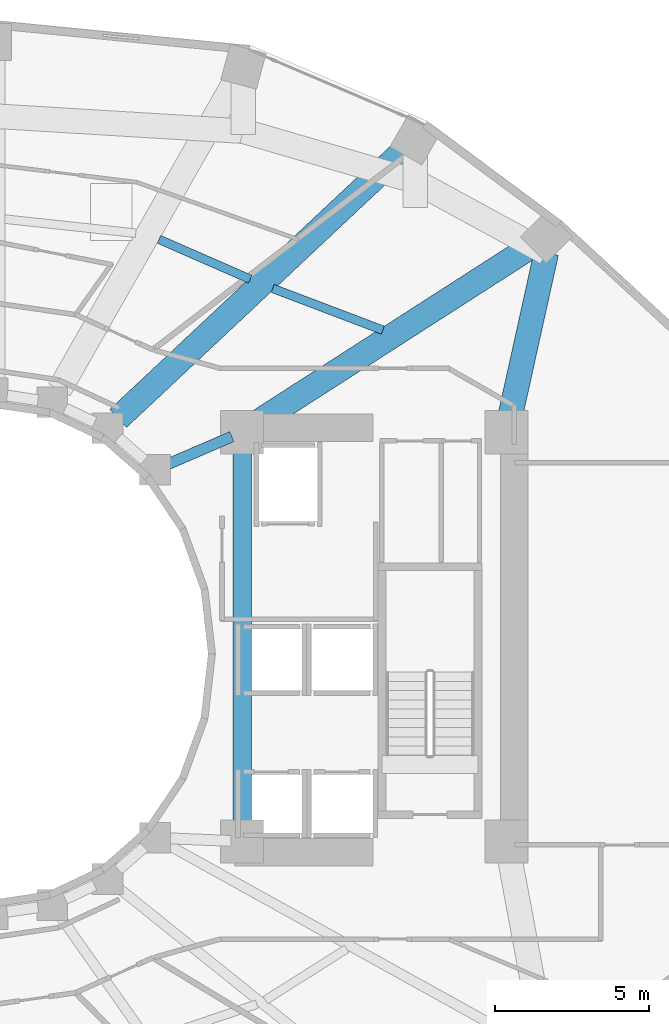
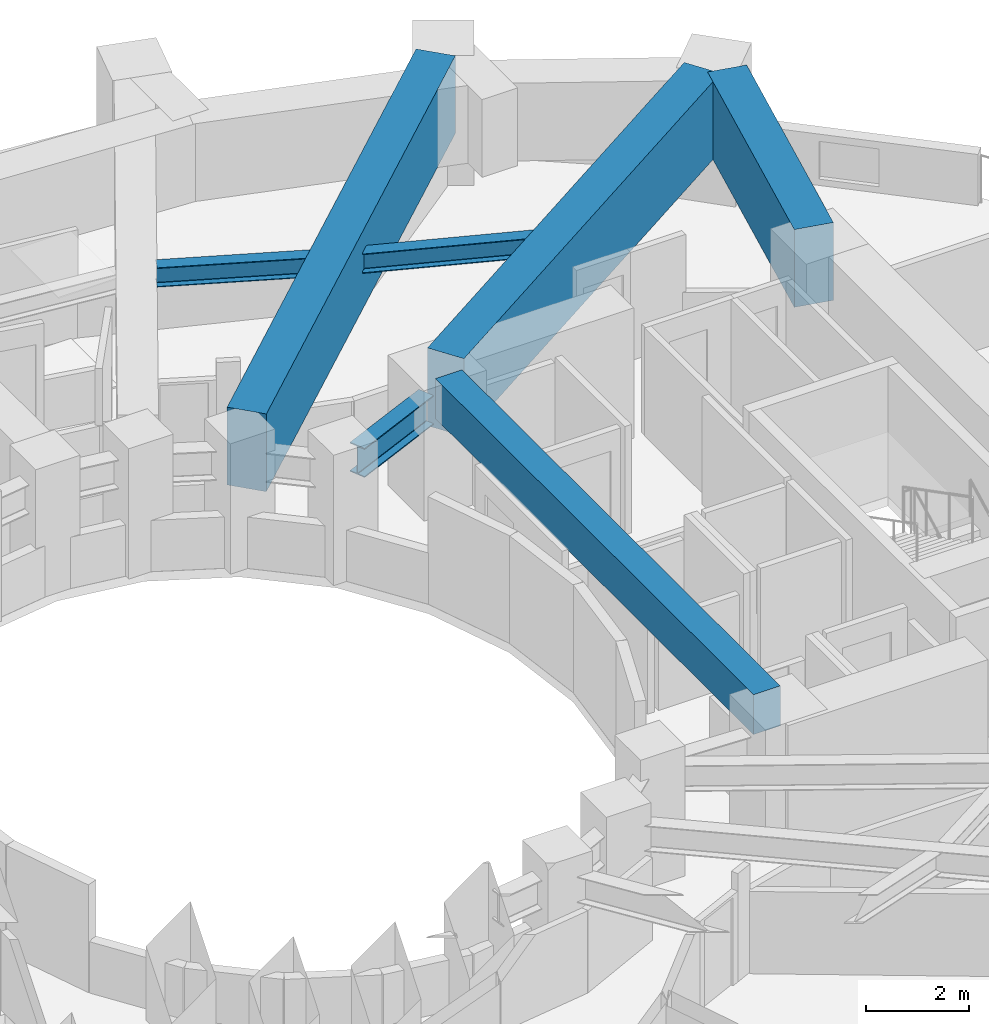
# One storey, part 8 of 22: 7 beams.
"""IFC4 building model written with IfcOpenShell, lengths in metres."""

from ifc_helpers import new_model, si_unit, direction, frame, origin, origin_2d, place, context, subcontext, project, spatial, rectangle, i_section, extrude, material, material_profile, profile_set, type_object, element, save


model = new_model("IFC4")

# Units and contexts
model_context = context("Model", 3, precision=1e-05, world=origin(), true_north=direction((0.0, 1.0)))
body_context = subcontext(model_context, "Body", "Model", "MODEL_VIEW")
ifc_project = project(units=[si_unit("LENGTHUNIT", "METRE"), si_unit("AREAUNIT", "SQUARE_METRE"), si_unit("VOLUMEUNIT", "CUBIC_METRE"), si_unit("PLANEANGLEUNIT", "RADIAN"), si_unit("MASSUNIT", "GRAM", prefix="KILO")], contexts=[model_context])

# Site, building, storey
site_placement = place(None, origin())
site = spatial("IfcSite", under=ifc_project, at=site_placement, CompositionType="ELEMENT")
building_placement = place(site_placement, origin())
building = spatial("IfcBuilding", under=site, at=building_placement, Name="Solvane Sanctuary Tower", CompositionType="ELEMENT")
storey_placement = place(building_placement, frame((0.0, 0.0, 43.10009765625)))
storey = spatial("IfcBuildingStorey", under=building, at=storey_placement, Name="L12", CompositionType="ELEMENT", Elevation=43.10009765625)

# Beams
ifc_material_1 = material(Name="Concrete C70/85", Category="concrete")
ifc_material_profile_1 = material_profile(ifc_material_1, rectangle(XDim=0.60009765625, YDim=0.949951171875, at=origin_2d()), Name="RC600X950")
ifc_profile_set_1 = profile_set([ifc_material_profile_1], Name="Concrete C70/85")
beam_type_1 = type_object("IfcBeamType", Name="Beam B-COUPLE RC600X950", PredefinedType="LINTEL", material=ifc_profile_set_1)
beam_1_placement = place(storey_placement, frame((40.10009765625, 17.35009765625, 2.625), z_axis=(0.0, 1.0, 0.0), x_axis=(-1.0, 0.0, 0.0)))
element("IfcBeam", 1, at=beam_1_placement, inside=storey, type_object=beam_type_1, Name="L12 East Core Coupling Lintel", PredefinedType="LINTEL", context=body_context, shape_type="SweptSolid", body=[
    extrude(rectangle(XDim=0.60009765625, YDim=0.949951171875, at=origin_2d()), origin(), (0.0, 0.0, 1.0), 12.39990234375),
])
ifc_material_2 = material(Name="Steel ASTM A992 Grade 50", Category="steel")
ifc_material_profile_2 = material_profile(ifc_material_2, i_section(OverallWidth=0.35498046875, OverallDepth=0.695068359375, WebThickness=0.015380859375, FlangeThickness=0.02490234375, FilletRadius=0.01806640625, at=origin_2d()), Name="W27X146")
ifc_profile_set_2 = profile_set([ifc_material_profile_2], Name="Steel ASTM A992 Grade 50")
beam_type_2 = type_object("IfcBeamType", Name="Beam B-RING-IN1 W27X146", PredefinedType="BEAM", material=ifc_profile_set_2)
beam_2_placement = place(storey_placement, frame((37.70654296875, 29.168212890625, 2.25048828125), z_axis=(0.918277080365, 0.395938383687, 0.0), x_axis=(-0.395938383687, 0.918277080365, 0.0)))
element("IfcBeam", 2, at=beam_2_placement, inside=storey, type_object=beam_type_2, Name="L12 Inner Light-Well Ring Beam IC01-CE4", PredefinedType="BEAM", context=body_context, shape_type="SweptSolid", body=[
    extrude(i_section(OverallWidth=0.35498046875, OverallDepth=0.695068359375, WebThickness=0.015380859375, FlangeThickness=0.02490234375, FilletRadius=0.01806640625, at=origin_2d()), origin(), (0.0, 0.0, 1.0), 2.246337890625),
])
ifc_material_profile_3 = material_profile(ifc_material_2, i_section(OverallWidth=0.280029296875, OverallDepth=0.462890625, WebThickness=0.0107421875, FlangeThickness=0.017333984375, FilletRadius=0.013916015625, at=origin_2d()), Name="W18X76")
ifc_profile_set_3 = profile_set([ifc_material_profile_3], Name="Steel ASTM A992 Grade 50")
beam_type_3 = type_object("IfcBeamType", Name="Beam B-SEC-JOIST W18X76", PredefinedType="JOIST", material=ifc_profile_set_3)
beam_3_placement = place(storey_placement, frame((37.39990234375, 36.469482421875, 2.366455078125), z_axis=(0.916364894528, -0.400344077111, 0.0), x_axis=(0.400344077111, 0.916364894528, 0.0)))
element("IfcBeam", 3, at=beam_3_placement, inside=storey, type_object=beam_type_3, Name="L12 Secondary Circumferential Joist 03-02", PredefinedType="JOIST", context=body_context, shape_type="SweptSolid", body=[
    extrude(i_section(OverallWidth=0.280029296875, OverallDepth=0.462890625, WebThickness=0.0107421875, FlangeThickness=0.017333984375, FilletRadius=0.013916015625, at=origin_2d()), origin(), (0.0, 0.0, 1.0), 3.237548828125),
])
beam_4_placement = place(storey_placement, frame((41.097900390625, 34.875, 2.366455078125), z_axis=(0.934953758498, -0.354769600544, 0.0), x_axis=(0.354769600544, 0.934953758498, 0.0)))
element("IfcBeam", 4, at=beam_4_placement, inside=storey, type_object=beam_type_3, Name="L12 Secondary Circumferential Joist 02-01", PredefinedType="JOIST", context=body_context, shape_type="SweptSolid", body=[
    extrude(i_section(OverallWidth=0.280029296875, OverallDepth=0.462890625, WebThickness=0.0107421875, FlangeThickness=0.017333984375, FilletRadius=0.013916015625, at=origin_2d()), origin(), (0.0, 0.0, 1.0), 3.82763671875),
])
ifc_material_profile_4 = material_profile(ifc_material_1, rectangle(XDim=0.800048828125, YDim=1.85009765625, at=origin_2d()), Name="RC800X1850")
ifc_profile_set_4 = profile_set([ifc_material_profile_4], Name="Concrete C70/85")
beam_type_4 = type_object("IfcBeamType", Name="Beam B-XFER-BLK RC800X1850", PredefinedType="BEAM", material=ifc_profile_set_4)
beam_5_placement = place(storey_placement, frame((40.40283203125, 30.39453125, 2.1748046875), z_axis=(0.841387683603, 0.540432017816, 0.0), x_axis=(-0.540432017816, 0.841387683603, 0.0)))
element("IfcBeam", 5, at=beam_5_placement, inside=storey, type_object=beam_type_4, Name="L12 Block-Shift Radial Transfer Girder 01A", PredefinedType="BEAM", context=body_context, shape_type="SweptSolid", body=[
    extrude(rectangle(XDim=0.800048828125, YDim=1.85009765625, at=origin_2d()), origin(), (0.0, 0.0, 1.0), 10.91650390625),
])
beam_6_placement = place(storey_placement, frame((36.07275390625, 30.648193359375, 2.1748046875), z_axis=(0.729350984505, 0.684139708979, 0.0), x_axis=(-0.684139708979, 0.729350984505, 0.0)))
element("IfcBeam", 6, at=beam_6_placement, inside=storey, type_object=beam_type_4, Name="L12 Block-Shift Radial Transfer Girder 02A", PredefinedType="BEAM", context=body_context, shape_type="SweptSolid", body=[
    extrude(rectangle(XDim=0.800048828125, YDim=1.85009765625, at=origin_2d()), origin(), (0.0, 0.0, 1.0), 12.717041015625),
])
beam_7_placement = place(storey_placement, frame((49.99169921875, 36.035400390625, 2.1748046875), z_axis=(-0.216120353699, -0.976366730648, 0.0), x_axis=(0.976366730648, -0.216120353699, 0.0)))
element("IfcBeam", 7, at=beam_7_placement, inside=storey, type_object=beam_type_4, Name="L12 Perimeter Step Transfer Ring NTC01-CE3", PredefinedType="BEAM", context=body_context, shape_type="SweptSolid", body=[
    extrude(rectangle(XDim=0.800048828125, YDim=1.85009765625, at=origin_2d()), origin(), (0.0, 0.0, 1.0), 5.61669921875),
])

save(model, "model.ifc")
